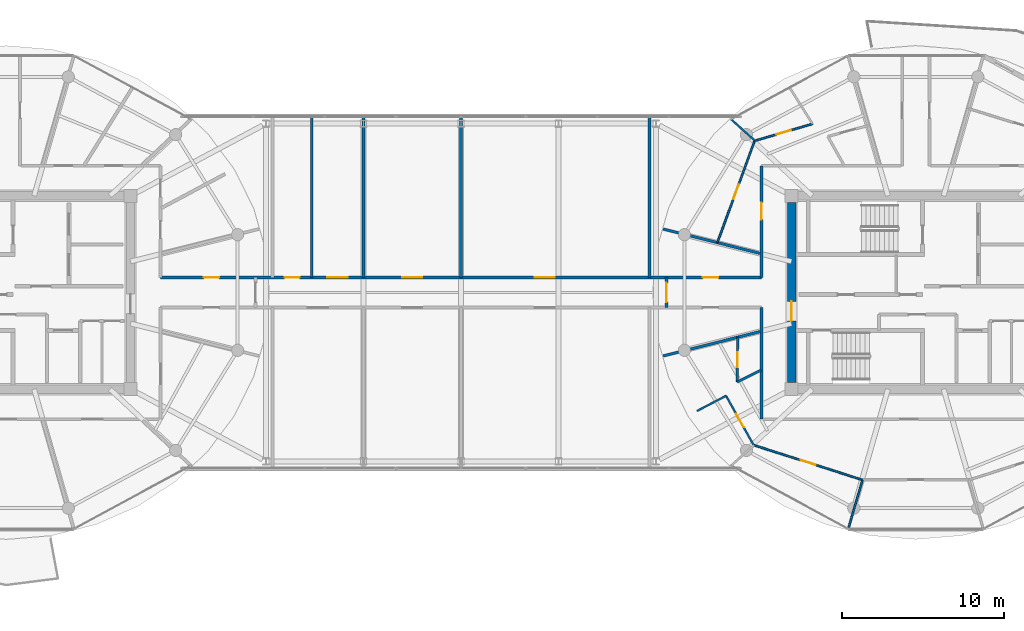
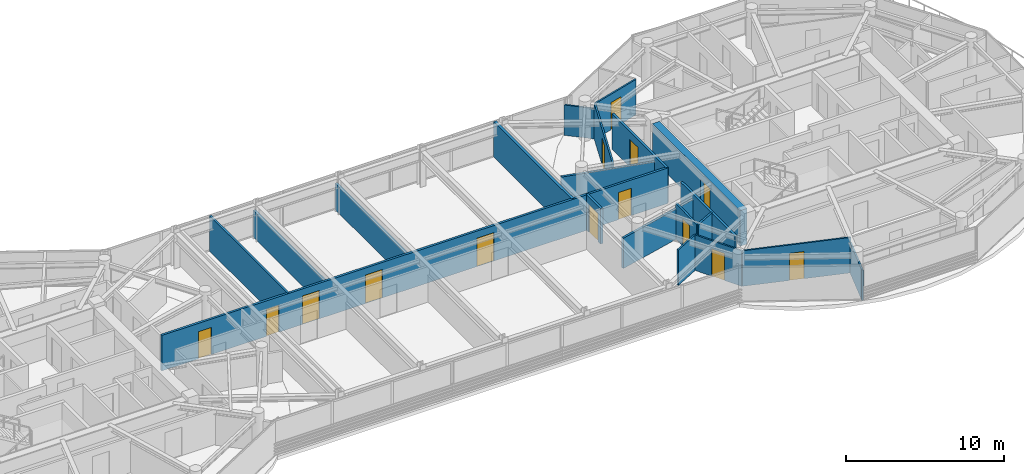
# One storey, part 16 of 23: 20 walls, 14 doors, 14 openings.
"""IFC4 building model written with IfcOpenShell, lengths in metres."""

from ifc_helpers import new_model, si_unit, direction, frame, frame_2d, origin, place, context, subcontext, project, spatial, rectangle, extrude, source, transform, mapped, material, layer, layer_set, type_object, type_shapes, element, fill, save


model = new_model("IFC4")

# Units and contexts
model_context = context("Model", 3, precision=1e-05, world=origin(), true_north=direction((0.0, 1.0)))
body_context = subcontext(model_context, "Body", "Model", "MODEL_VIEW")
ifc_project = project(units=[si_unit("LENGTHUNIT", "METRE"), si_unit("AREAUNIT", "SQUARE_METRE"), si_unit("VOLUMEUNIT", "CUBIC_METRE"), si_unit("PLANEANGLEUNIT", "RADIAN"), si_unit("MASSUNIT", "GRAM", prefix="KILO")], contexts=[model_context])

# Site, building, storey
site_placement = place(None, origin())
site = spatial("IfcSite", under=ifc_project, at=site_placement, CompositionType="ELEMENT")
building_placement = place(site_placement, origin())
building = spatial("IfcBuilding", under=site, at=building_placement, Name="Norrkilde Senior Care Towers", CompositionType="ELEMENT")
storey_placement = place(building_placement, frame((0.0, 0.0, 220.0)))
storey = spatial("IfcBuildingStorey", under=building, at=storey_placement, Name="L68", CompositionType="ELEMENT", Elevation=220.0)

# Wall, opening, door
ifc_material_1 = material(Name="Concrete C50/60", Category="concrete")
ifc_layer_1 = layer(ifc_material_1, 0.52001953125)
ifc_layer_set_1 = layer_set([ifc_layer_1], Name="Concrete C50/60")
wall_type_1 = type_object("IfcWallType", Name="Core Shear Wall Z4 520", PredefinedType="SHEAR", material=ifc_layer_set_1)
shared_shape_1 = source(origin(), body_context, "Body", "SweptSolid", [
    extrude(rectangle(XDim=11.10009765625, YDim=0.52001953125, at=frame_2d((5.550048828125, 0.0))), origin(), (0.0, 0.0, 1.0), 2.760009765625),
])
type_shapes(wall_type_1, [shared_shape_1])
wall_1_placement = place(storey_placement, frame((20.35009765625, -5.550048828125, 0.0), z_axis=(0.0, 0.0, 1.0), x_axis=(0.0, 1.0, 0.0)))
wall_1 = element("IfcWall", 1, at=wall_1_placement, inside=storey, type_object=wall_type_1, Name="L68 Core E West Shear Wall", PredefinedType="SHEAR", context=body_context, shape_type="MappedRepresentation", body=[
    mapped(shared_shape_1, transform((0.0, 0.0, 0.0), x_axis=(1.0, 0.0, 0.0), y_axis=(0.0, 1.0, 0.0), z_axis=(0.0, 0.0, 1.0), scale=1.0)),
])
opening_1_placement = place(wall_1_placement, frame((3.800048828125, 0.0, 0.0)))
opening_1 = element("IfcOpeningElement", 2, at=opening_1_placement, cuts=wall_1, Name="Opening D-04", PredefinedType="OPENING", context=body_context, shape_type="SweptSolid", body=[
    extrude(rectangle(XDim=1.199951171875, YDim=2.14990234375, at=frame_2d((0.60009765625, 1.074951171875))), frame((0.0, 0.27001953125, 0.0), z_axis=(0.0, -1.0, 0.0), x_axis=(1.0, 0.0, 0.0)), (0.0, 0.0, 1.0), 0.5400390625),
])
ifc_material_2 = material(Name="Galvanised Painted Steel", Category="steel")
door_type_1 = type_object("IfcDoorType", Name="Firefighting Lobby Fire Door 1200x2150", OperationType="NOTDEFINED", PredefinedType="DOOR", material=ifc_material_2)
shared_shape_2 = source(origin(), body_context, "Body", "SweptSolid", [
    extrude(rectangle(XDim=1.199951171875, YDim=2.14990234375, at=frame_2d((0.60009765625, 1.074951171875))), frame((0.0, 0.02490234375, 0.0), z_axis=(0.0, -1.0, 0.0), x_axis=(1.0, 0.0, 0.0)), (0.0, 0.0, 1.0), 0.050048828125),
])
type_shapes(door_type_1, [shared_shape_2])
door_1_placement = place(opening_1_placement, frame((1.199951171875, 0.0, 0.0), z_axis=(0.0, 0.0, 1.0), x_axis=(-1.0, 0.0, 0.0)))
door_1 = element("IfcDoor", 3, at=door_1_placement, inside=storey, type_object=door_type_1, Name="L68 Core E West Portal Door", OperationType="SINGLE_SWING_LEFT", OverallHeight=2.14990234375, OverallWidth=1.199951171875, PredefinedType="DOOR", context=body_context, shape_type="MappedRepresentation", body=[
    mapped(shared_shape_2, transform((0.0, 0.0, 0.0), x_axis=(1.0, 0.0, 0.0), y_axis=(0.0, 1.0, 0.0), z_axis=(0.0, 0.0, 1.0), scale=1.0)),
])
fill(opening_1, door_1)

# Wall
ifc_material_3 = material(Name="Gypsum Acoustic Board")
ifc_layer_2 = layer(ifc_material_3, 0.1650390625)
ifc_layer_set_2 = layer_set([ifc_layer_2], Name="Gypsum Acoustic Board")
wall_type_2 = type_object("IfcWallType", Name="Corridor Rated Partition 165", PredefinedType="PARTITIONING", material=ifc_layer_set_2)
shared_shape_3 = source(origin(), body_context, "Body", "SweptSolid", [
    extrude(rectangle(XDim=6.880126953125, YDim=0.1650390625, at=frame_2d((3.43994140625, 0.0))), origin(), (0.0, 0.0, 1.0), 2.7451171875),
])
wall_2_placement = place(storey_placement, frame((18.5, -7.800048828125, 0.0), z_axis=(0.0, 0.0, 1.0), x_axis=(0.0, 1.0, 0.0)))
element("IfcWall", 4, at=wall_2_placement, inside=storey, type_object=wall_type_2, Name="WL-INT-L68-E-CRW-W-0", PredefinedType="PARTITIONING", context=body_context, shape_type="MappedRepresentation", body=[
    mapped(shared_shape_3, transform((0.0, 0.0, 0.0), x_axis=(1.0, 0.0, 0.0), y_axis=(0.0, 1.0, 0.0), z_axis=(0.0, 0.0, 1.0), scale=1.0)),
])

# Wall, opening, door
wall_3_placement = place(storey_placement, frame((18.5, 0.919921875, 0.0), z_axis=(0.0, 0.0, 1.0), x_axis=(0.0, 1.0, 0.0)))
wall_3 = element("IfcWall", 5, at=wall_3_placement, inside=storey, type_object=wall_type_2, Name="WL-INT-L68-E-CRW-W-1", PredefinedType="PARTITIONING", context=body_context, shape_type="MappedRepresentation", body=[
    mapped(shared_shape_3, transform((0.0, 0.0, 0.0), x_axis=(1.0, 0.0, 0.0), y_axis=(0.0, 1.0, 0.0), z_axis=(0.0, 0.0, 1.0), scale=1.0)),
])
opening_2_placement = place(wall_3_placement, frame((3.564208984375, 0.0, 0.0)))
opening_2 = element("IfcOpeningElement", 6, at=opening_2_placement, cuts=wall_3, Name="Opening D-06", PredefinedType="OPENING", context=body_context, shape_type="SweptSolid", body=[
    extrude(rectangle(XDim=1.050048828125, YDim=2.14990234375, at=frame_2d((0.52490234375, 1.074951171875))), frame((0.0, 0.092529296875, 0.0), z_axis=(0.0, -1.0, 0.0), x_axis=(1.0, 0.0, 0.0)), (0.0, 0.0, 1.0), 0.18505859375),
])
ifc_material_4 = material(Name="Nordic Ash Timber", Category="wood")
door_type_2 = type_object("IfcDoorType", Name="Apartment Entrance Fire Door 1050x2150", OperationType="NOTDEFINED", PredefinedType="DOOR", material=ifc_material_4)
shared_shape_4 = source(origin(), body_context, "Body", "SweptSolid", [
    extrude(rectangle(XDim=1.050048828125, YDim=2.14990234375, at=frame_2d((0.52490234375, 1.074951171875))), frame((0.0, 0.02490234375, 0.0), z_axis=(0.0, -1.0, 0.0), x_axis=(1.0, 0.0, 0.0)), (0.0, 0.0, 1.0), 0.050048828125),
])
type_shapes(door_type_2, [shared_shape_4])
door_2_placement = place(opening_2_placement, frame((1.050048828125, 0.0, 0.0), z_axis=(0.0, 0.0, 1.0), x_axis=(-1.0, 0.0, 0.0)))
door_2 = element("IfcDoor", 7, at=door_2_placement, inside=storey, type_object=door_type_2, Name="Apartment 68B Entrance Door", OperationType="SINGLE_SWING_RIGHT", OverallHeight=2.14990234375, OverallWidth=1.050048828125, PredefinedType="DOOR", context=body_context, shape_type="MappedRepresentation", body=[
    mapped(shared_shape_4, transform((0.0, 0.0, 0.0), x_axis=(1.0, 0.0, 0.0), y_axis=(0.0, 1.0, 0.0), z_axis=(0.0, 0.0, 1.0), scale=1.0)),
])
fill(opening_2, door_2)

# Walls
shared_shape_5 = source(origin(), body_context, "Body", "SweptSolid", [
    extrude(rectangle(XDim=6.1572265625, YDim=0.1650390625, at=frame_2d((3.07861328125, 0.0))), origin(), (0.0, 0.0, 1.0), 2.344970703125),
])
for number, where, z_axis, x_axis, name in (
    (8, (18.419921875, 2.407470703125, 0.0), (0.0, 0.0, 1.0), (-0.969840867184, 0.243738984038, 0.0), "WL-INT-L68-E-DEM-05-0"),
    (9, (18.419921875, -2.407470703125, 0.0), (0.0, 0.0, 1.0), (-0.969840867184, -0.243738984038, 0.0), "WL-INT-L68-E-DEM-06-0"),
):
    element("IfcWall", number, at=place(storey_placement, frame(where, z_axis=z_axis, x_axis=x_axis)), inside=storey, type_object=wall_type_2, Name=name, PredefinedType="PARTITIONING", context=body_context, shape_type="MappedRepresentation", body=[
        mapped(shared_shape_5, transform((0.0, 0.0, 0.0), x_axis=(1.0, 0.0, 0.0), y_axis=(0.0, 1.0, 0.0), z_axis=(0.0, 0.0, 1.0), scale=1.0)),
    ])
ifc_layer_3 = layer(ifc_material_3, 0.139892578125)
ifc_layer_set_3 = layer_set([ifc_layer_3], Name="Gypsum Acoustic Board")
wall_type_3 = type_object("IfcWallType", Name="En-suite Wet Room Wall 140", PredefinedType="PARTITIONING", material=ifc_layer_set_3)
shared_shape_6 = source(origin(), body_context, "Body", "SweptSolid", [
    extrude(rectangle(XDim=1.638427734375, YDim=0.139892578125, at=frame_2d((0.8193359375, 0.0))), origin(), (0.0, 0.0, 1.0), 2.7451171875),
])
wall_4_placement = place(storey_placement, frame((18.469970703125, -4.7783203125, 0.0), z_axis=(0.0, 0.0, 1.0), x_axis=(-0.893919977945, -0.448226586707, 0.0)))
element("IfcWall", 10, at=wall_4_placement, inside=storey, type_object=wall_type_3, Name="WL-INT-L68-E-UBTS-06", PredefinedType="PARTITIONING", context=body_context, shape_type="MappedRepresentation", body=[
    mapped(shared_shape_6, transform((0.0, 0.0, 0.0), x_axis=(1.0, 0.0, 0.0), y_axis=(0.0, 1.0, 0.0), z_axis=(0.0, 0.0, 1.0), scale=1.0)),
])

# Wall, opening, door
shared_shape_7 = source(origin(), body_context, "Body", "SweptSolid", [
    extrude(rectangle(XDim=2.7587890625, YDim=0.139892578125, at=frame_2d((1.37939453125, 0.0))), origin(), (0.0, 0.0, 1.0), 2.7451171875),
])
wall_5_placement = place(storey_placement, frame((17.00537109375, -5.5126953125, 0.0), z_axis=(0.0, 0.0, 1.0), x_axis=(0.01194710728, 0.999928630767, 0.0)))
wall_5 = element("IfcWall", 11, at=wall_5_placement, inside=storey, type_object=wall_type_3, Name="WL-INT-L68-E-UBTF-06", PredefinedType="PARTITIONING", context=body_context, shape_type="MappedRepresentation", body=[
    mapped(shared_shape_7, transform((0.0, 0.0, 0.0), x_axis=(1.0, 0.0, 0.0), y_axis=(0.0, 1.0, 0.0), z_axis=(0.0, 0.0, 1.0), scale=1.0)),
])
opening_3_placement = place(wall_5_placement, frame((0.91943359375, 0.0, 0.0)))
opening_3 = element("IfcOpeningElement", 12, at=opening_3_placement, cuts=wall_5, Name="Opening D-08", PredefinedType="OPENING", context=body_context, shape_type="SweptSolid", body=[
    extrude(rectangle(XDim=0.919921875, YDim=2.10009765625, at=frame_2d((0.4599609375, 1.050048828125))), frame((0.0, 0.079833984375, 0.0), z_axis=(0.0, -1.0, 0.0), x_axis=(1.0, 0.0, 0.0)), (0.0, 0.0, 1.0), 0.159912109375),
])
door_type_3 = type_object("IfcDoorType", Name="Accessible Wet Room Door 920x2100", OperationType="NOTDEFINED", PredefinedType="DOOR", material=ifc_material_4)
shared_shape_8 = source(origin(), body_context, "Body", "SweptSolid", [
    extrude(rectangle(XDim=0.919921875, YDim=2.10009765625, at=frame_2d((0.4599609375, 1.050048828125))), frame((0.0, 0.02490234375, 0.0), z_axis=(0.0, -1.0, 0.0), x_axis=(1.0, 0.0, 0.0)), (0.0, 0.0, 1.0), 0.050048828125),
])
type_shapes(door_type_3, [shared_shape_8])
door_3_placement = place(opening_3_placement, origin())
door_3 = element("IfcDoor", 13, at=door_3_placement, inside=storey, type_object=door_type_3, Name="Apartment 68C Bathroom Door", OperationType="SINGLE_SWING_RIGHT", OverallHeight=2.10009765625, OverallWidth=0.919921875, PredefinedType="DOOR", context=body_context, shape_type="MappedRepresentation", body=[
    mapped(shared_shape_8, transform((0.0, 0.0, 0.0), x_axis=(1.0, 0.0, 0.0), y_axis=(0.0, 1.0, 0.0), z_axis=(0.0, 0.0, 1.0), scale=1.0)),
])
fill(opening_3, door_3)

# Walls
ifc_layer_4 = layer(ifc_material_3, 0.18994140625)
ifc_layer_set_4 = layer_set([ifc_layer_4], Name="Gypsum Acoustic Board")
wall_type_4 = type_object("IfcWallType", Name="Unit Demising Acoustic Wall 190", PredefinedType="PARTITIONING", material=ifc_layer_set_4)
shared_shape_9 = source(origin(), body_context, "Body", "SweptSolid", [
    extrude(rectangle(XDim=9.880126953125, YDim=0.18994140625, at=frame_2d((4.93994140625, 0.0))), origin(), (0.0, 0.0, 1.0), 2.044921875),
])
for number, where, z_axis, x_axis, name in (
    (14, (-6.0, 0.919921875, 0.0), (0.0, 0.0, 1.0), (0.0, 1.0, 0.0), "WL-INT-L68-BR-VN1"),
    (15, (0.0, 0.919921875, 0.0), (0.0, 0.0, 1.0), (0.0, 1.0, 0.0), "WL-INT-L68-BR-VN2"),
):
    element("IfcWall", number, at=place(storey_placement, frame(where, z_axis=z_axis, x_axis=x_axis)), inside=storey, type_object=wall_type_4, Name=name, PredefinedType="PARTITIONING", context=body_context, shape_type="MappedRepresentation", body=[
        mapped(shared_shape_9, transform((0.0, 0.0, 0.0), x_axis=(1.0, 0.0, 0.0), y_axis=(0.0, 1.0, 0.0), z_axis=(0.0, 0.0, 1.0), scale=1.0)),
    ])

# Wall, opening, door
shared_shape_10 = source(origin(), body_context, "Body", "SweptSolid", [
    extrude(rectangle(XDim=1.83984375, YDim=0.1650390625, at=frame_2d((0.919921875, 0.0))), origin(), (0.0, 0.0, 1.0), 2.7451171875),
])
wall_6_placement = place(storey_placement, frame((12.64990234375, -0.919921875, 0.0), z_axis=(0.0, 0.0, 1.0), x_axis=(0.0, 1.0, 0.0)))
wall_6 = element("IfcWall", 16, at=wall_6_placement, inside=storey, type_object=wall_type_2, Name="WL-INT-L68-BR-GE", PredefinedType="PARTITIONING", context=body_context, shape_type="MappedRepresentation", body=[
    mapped(shared_shape_10, transform((0.0, 0.0, 0.0), x_axis=(1.0, 0.0, 0.0), y_axis=(0.0, 1.0, 0.0), z_axis=(0.0, 0.0, 1.0), scale=1.0)),
])
opening_4_placement = place(wall_6_placement, frame((0.320068359375, 0.0, 0.0)))
opening_4 = element("IfcOpeningElement", 17, at=opening_4_placement, cuts=wall_6, Name="Opening D-04", PredefinedType="OPENING", context=body_context, shape_type="SweptSolid", body=[
    extrude(rectangle(XDim=1.199951171875, YDim=2.14990234375, at=frame_2d((0.60009765625, 1.074951171875))), frame((0.0, 0.092529296875, 0.0), z_axis=(0.0, -1.0, 0.0), x_axis=(1.0, 0.0, 0.0)), (0.0, 0.0, 1.0), 0.18505859375),
])
door_4_placement = place(opening_4_placement, origin())
door_4 = element("IfcDoor", 18, at=door_4_placement, inside=storey, type_object=door_type_1, Name="L68 Sky-Gate Bridge GE Fire Door", OperationType="SINGLE_SWING_RIGHT", OverallHeight=2.14990234375, OverallWidth=1.199951171875, PredefinedType="DOOR", context=body_context, shape_type="MappedRepresentation", body=[
    mapped(shared_shape_2, transform((0.0, 0.0, 0.0), x_axis=(1.0, 0.0, 0.0), y_axis=(0.0, 1.0, 0.0), z_axis=(0.0, 0.0, 1.0), scale=1.0)),
])
fill(opening_4, door_4)

# Wall, openings, doors
shared_shape_11 = source(origin(), body_context, "Body", "SweptSolid", [
    extrude(rectangle(XDim=37.0, YDim=0.1650390625, at=frame_2d((18.5, 0.0))), origin(), (0.0, 0.0, 1.0), 2.7451171875),
])
type_shapes(wall_type_2, [shared_shape_3, shared_shape_5, shared_shape_10, shared_shape_11])
wall_7_placement = place(storey_placement, frame((-18.5, 0.919921875, 0.0), z_axis=(0.0, 0.0, 1.0), x_axis=(1.0, 0.0, 0.0)))
wall_7 = element("IfcWall", 19, at=wall_7_placement, inside=storey, type_object=wall_type_2, Name="WL-INT-L68-BR-CN", PredefinedType="PARTITIONING", context=body_context, shape_type="MappedRepresentation", body=[
    mapped(shared_shape_11, transform((0.0, 0.0, 0.0), x_axis=(1.0, 0.0, 0.0), y_axis=(0.0, 1.0, 0.0), z_axis=(0.0, 0.0, 1.0), scale=1.0)),
])
opening_5_placement = place(wall_7_placement, frame((2.66162109375, 0.0, 0.0)))
opening_5 = element("IfcOpeningElement", 20, at=opening_5_placement, cuts=wall_7, Name="Opening D-07", PredefinedType="OPENING", context=body_context, shape_type="SweptSolid", body=[
    extrude(rectangle(XDim=0.949951171875, YDim=2.10009765625, at=frame_2d((0.47509765625, 1.050048828125))), frame((0.0, 0.092529296875, 0.0), z_axis=(0.0, -1.0, 0.0), x_axis=(1.0, 0.0, 0.0)), (0.0, 0.0, 1.0), 0.18505859375),
])
opening_6_placement = place(wall_7_placement, frame((33.38818359375, 0.0, 0.0)))
opening_6 = element("IfcOpeningElement", 21, at=opening_6_placement, cuts=wall_7, Name="Opening D-07", PredefinedType="OPENING", context=body_context, shape_type="SweptSolid", body=[
    extrude(rectangle(XDim=0.949951171875, YDim=2.10009765625, at=frame_2d((0.47509765625, 1.050048828125))), frame((0.0, 0.092529296875, 0.0), z_axis=(0.0, -1.0, 0.0), x_axis=(1.0, 0.0, 0.0)), (0.0, 0.0, 1.0), 0.18505859375),
])
opening_7_placement = place(wall_7_placement, frame((7.639892578125, 0.0, 0.0)))
opening_7 = element("IfcOpeningElement", 22, at=opening_7_placement, cuts=wall_7, Name="Opening D-08", PredefinedType="OPENING", context=body_context, shape_type="SweptSolid", body=[
    extrude(rectangle(XDim=0.919921875, YDim=2.10009765625, at=frame_2d((0.4599609375, 1.050048828125))), frame((0.0, 0.092529296875, 0.0), z_axis=(0.0, -1.0, 0.0), x_axis=(1.0, 0.0, 0.0)), (0.0, 0.0, 1.0), 0.18505859375),
])
opening_8_placement = place(wall_7_placement, frame((10.27490234375, 0.0, 0.0)))
opening_8 = element("IfcOpeningElement", 23, at=opening_8_placement, cuts=wall_7, Name="Opening D-05", PredefinedType="OPENING", context=body_context, shape_type="SweptSolid", body=[
    extrude(rectangle(XDim=1.25, YDim=2.199951171875, at=frame_2d((0.625, 1.10009765625))), frame((0.0, 0.092529296875, 0.0), z_axis=(0.0, -1.0, 0.0), x_axis=(1.0, 0.0, 0.0)), (0.0, 0.0, 1.0), 0.18505859375),
])
opening_9_placement = place(wall_7_placement, frame((14.875, 0.0, 0.0)))
opening_9 = element("IfcOpeningElement", 24, at=opening_9_placement, cuts=wall_7, Name="Opening D-05", PredefinedType="OPENING", context=body_context, shape_type="SweptSolid", body=[
    extrude(rectangle(XDim=1.25, YDim=2.199951171875, at=frame_2d((0.625, 1.10009765625))), frame((0.0, 0.092529296875, 0.0), z_axis=(0.0, -1.0, 0.0), x_axis=(1.0, 0.0, 0.0)), (0.0, 0.0, 1.0), 0.18505859375),
])
opening_10_placement = place(wall_7_placement, frame((23.030029296875, 0.0, 0.0)))
opening_10 = element("IfcOpeningElement", 25, at=opening_10_placement, cuts=wall_7, Name="Opening D-05", PredefinedType="OPENING", context=body_context, shape_type="SweptSolid", body=[
    extrude(rectangle(XDim=1.25, YDim=2.199951171875, at=frame_2d((0.625, 1.10009765625))), frame((0.0, 0.092529296875, 0.0), z_axis=(0.0, -1.0, 0.0), x_axis=(1.0, 0.0, 0.0)), (0.0, 0.0, 1.0), 0.18505859375),
])
door_type_4 = type_object("IfcDoorType", Name="Care Bedroom Bariatric Door 1250x2200", OperationType="NOTDEFINED", PredefinedType="DOOR", material=ifc_material_4)
shared_shape_12 = source(origin(), body_context, "Body", "SweptSolid", [
    extrude(rectangle(XDim=1.25, YDim=2.199951171875, at=frame_2d((0.625, 1.10009765625))), frame((0.0, 0.02490234375, 0.0), z_axis=(0.0, -1.0, 0.0), x_axis=(1.0, 0.0, 0.0)), (0.0, 0.0, 1.0), 0.050048828125),
])
type_shapes(door_type_4, [shared_shape_12])
door_5_placement = place(opening_8_placement, frame((1.25, 0.0, 0.0), z_axis=(0.0, 0.0, 1.0), x_axis=(-1.0, 0.0, 0.0)))
door_5 = element("IfcDoor", 26, at=door_5_placement, inside=storey, type_object=door_type_4, Name="L68 Bridge North Clinic 1 Door", OperationType="SINGLE_SWING_RIGHT", OverallHeight=2.199951171875, OverallWidth=1.25, PredefinedType="DOOR", context=body_context, shape_type="MappedRepresentation", body=[
    mapped(shared_shape_12, transform((0.0, 0.0, 0.0), x_axis=(1.0, 0.0, 0.0), y_axis=(0.0, 1.0, 0.0), z_axis=(0.0, 0.0, 1.0), scale=1.0)),
])
fill(opening_8, door_5)
door_6_placement = place(opening_9_placement, frame((1.25, 0.0, 0.0), z_axis=(0.0, 0.0, 1.0), x_axis=(-1.0, 0.0, 0.0)))
door_6 = element("IfcDoor", 27, at=door_6_placement, inside=storey, type_object=door_type_4, Name="L68 Bridge North Room 2 Door", OperationType="SINGLE_SWING_LEFT", OverallHeight=2.199951171875, OverallWidth=1.25, PredefinedType="DOOR", context=body_context, shape_type="MappedRepresentation", body=[
    mapped(shared_shape_12, transform((0.0, 0.0, 0.0), x_axis=(1.0, 0.0, 0.0), y_axis=(0.0, 1.0, 0.0), z_axis=(0.0, 0.0, 1.0), scale=1.0)),
])
fill(opening_9, door_6)
door_7_placement = place(opening_10_placement, frame((1.25, 0.0, 0.0), z_axis=(0.0, 0.0, 1.0), x_axis=(-1.0, 0.0, 0.0)))
door_7 = element("IfcDoor", 28, at=door_7_placement, inside=storey, type_object=door_type_4, Name="L68 Bridge North Room 3 Door", OperationType="SINGLE_SWING_RIGHT", OverallHeight=2.199951171875, OverallWidth=1.25, PredefinedType="DOOR", context=body_context, shape_type="MappedRepresentation", body=[
    mapped(shared_shape_12, transform((0.0, 0.0, 0.0), x_axis=(1.0, 0.0, 0.0), y_axis=(0.0, 1.0, 0.0), z_axis=(0.0, 0.0, 1.0), scale=1.0)),
])
fill(opening_10, door_7)
door_8_placement = place(opening_7_placement, frame((0.919921875, 0.0, 0.0), z_axis=(0.0, 0.0, 1.0), x_axis=(-1.0, 0.0, 0.0)))
door_8 = element("IfcDoor", 29, at=door_8_placement, inside=storey, type_object=door_type_3, Name="L68 Bridge Accessible WC Door", OperationType="SINGLE_SWING_LEFT", OverallHeight=2.10009765625, OverallWidth=0.919921875, PredefinedType="DOOR", context=body_context, shape_type="MappedRepresentation", body=[
    mapped(shared_shape_8, transform((0.0, 0.0, 0.0), x_axis=(1.0, 0.0, 0.0), y_axis=(0.0, 1.0, 0.0), z_axis=(0.0, 0.0, 1.0), scale=1.0)),
])
fill(opening_7, door_8)
door_type_5 = type_object("IfcDoorType", Name="Internal Suite Bedroom Door 950x2100", OperationType="NOTDEFINED", PredefinedType="DOOR", material=ifc_material_4)
shared_shape_13 = source(origin(), body_context, "Body", "SweptSolid", [
    extrude(rectangle(XDim=0.949951171875, YDim=2.10009765625, at=frame_2d((0.47509765625, 1.050048828125))), frame((0.0, 0.02490234375, 0.0), z_axis=(0.0, -1.0, 0.0), x_axis=(1.0, 0.0, 0.0)), (0.0, 0.0, 1.0), 0.050048828125),
])
type_shapes(door_type_5, [shared_shape_13])
door_9_placement = place(opening_5_placement, frame((0.949951171875, 0.0, 0.0), z_axis=(0.0, 0.0, 1.0), x_axis=(-1.0, 0.0, 0.0)))
door_9 = element("IfcDoor", 30, at=door_9_placement, inside=storey, type_object=door_type_5, Name="L68 Sun Reading Lounge 6 Door", OperationType="SINGLE_SWING_LEFT", OverallHeight=2.10009765625, OverallWidth=0.949951171875, PredefinedType="DOOR", context=body_context, shape_type="MappedRepresentation", body=[
    mapped(shared_shape_13, transform((0.0, 0.0, 0.0), x_axis=(1.0, 0.0, 0.0), y_axis=(0.0, 1.0, 0.0), z_axis=(0.0, 0.0, 1.0), scale=1.0)),
])
fill(opening_5, door_9)
door_10_placement = place(opening_6_placement, frame((0.949951171875, 0.0, 0.0), z_axis=(0.0, 0.0, 1.0), x_axis=(-1.0, 0.0, 0.0)))
door_10 = element("IfcDoor", 31, at=door_10_placement, inside=storey, type_object=door_type_5, Name="L68 Sun Reading Lounge 2 Door", OperationType="SINGLE_SWING_LEFT", OverallHeight=2.10009765625, OverallWidth=0.949951171875, PredefinedType="DOOR", context=body_context, shape_type="MappedRepresentation", body=[
    mapped(shared_shape_13, transform((0.0, 0.0, 0.0), x_axis=(1.0, 0.0, 0.0), y_axis=(0.0, 1.0, 0.0), z_axis=(0.0, 0.0, 1.0), scale=1.0)),
])
fill(opening_6, door_10)

# Walls
shared_shape_14 = source(origin(), body_context, "Body", "SweptSolid", [
    extrude(rectangle(XDim=9.880126953125, YDim=0.18994140625, at=frame_2d((4.93994140625, 0.0))), origin(), (0.0, 0.0, 1.0), 2.7451171875),
])
type_shapes(wall_type_4, [shared_shape_9, shared_shape_14])
wall_8_placement = place(storey_placement, frame((11.60009765625, 0.919921875, 0.0), z_axis=(0.0, 0.0, 1.0), x_axis=(0.0, 1.0, 0.0)))
element("IfcWall", 32, at=wall_8_placement, inside=storey, type_object=wall_type_4, Name="WL-INT-L68-BR-EN+12", PredefinedType="PARTITIONING", context=body_context, shape_type="MappedRepresentation", body=[
    mapped(shared_shape_14, transform((0.0, 0.0, 0.0), x_axis=(1.0, 0.0, 0.0), y_axis=(0.0, 1.0, 0.0), z_axis=(0.0, 0.0, 1.0), scale=1.0)),
])
shared_shape_15 = source(origin(), body_context, "Body", "SweptSolid", [
    extrude(rectangle(XDim=9.880126953125, YDim=0.139892578125, at=frame_2d((4.93994140625, 0.0))), origin(), (0.0, 0.0, 1.0), 2.7451171875),
])
type_shapes(wall_type_3, [shared_shape_6, shared_shape_7, shared_shape_15])
wall_9_placement = place(storey_placement, frame((-9.199951171875, 0.919921875, 0.0), z_axis=(0.0, 0.0, 1.0), x_axis=(0.0, 1.0, 0.0)))
element("IfcWall", 33, at=wall_9_placement, inside=storey, type_object=wall_type_3, Name="WL-INT-L68-BR-NWCV", PredefinedType="PARTITIONING", context=body_context, shape_type="MappedRepresentation", body=[
    mapped(shared_shape_15, transform((0.0, 0.0, 0.0), x_axis=(1.0, 0.0, 0.0), y_axis=(0.0, 1.0, 0.0), z_axis=(0.0, 0.0, 1.0), scale=1.0)),
])

# Wall, opening, door
ifc_layer_5 = layer(ifc_material_3, 0.114990234375)
ifc_layer_set_5 = layer_set([ifc_layer_5], Name="Gypsum Acoustic Board")
wall_type_5 = type_object("IfcWallType", Name="Internal Room Partition 115", PredefinedType="PARTITIONING", material=ifc_layer_set_5)
shared_shape_16 = source(origin(), body_context, "Body", "SweptSolid", [
    extrude(rectangle(XDim=6.68994140625, YDim=0.114990234375, at=frame_2d((3.344970703125, 0.0))), origin(), (0.0, 0.0, 1.0), 2.7451171875),
])
wall_10_placement = place(storey_placement, frame((18.082763671875, 9.351806640625, 0.0), z_axis=(0.0, 0.0, 1.0), x_axis=(-0.343693784919, -0.939081776102, 0.0)))
wall_10 = element("IfcWall", 34, at=wall_10_placement, inside=storey, type_object=wall_type_5, Name="WL-INT-L68-E-UBC-03-1", PredefinedType="PARTITIONING", context=body_context, shape_type="MappedRepresentation", body=[
    mapped(shared_shape_16, transform((0.0, 0.0, 0.0), x_axis=(1.0, 0.0, 0.0), y_axis=(0.0, 1.0, 0.0), z_axis=(0.0, 0.0, 1.0), scale=1.0)),
])
opening_11_placement = place(wall_10_placement, frame((2.8701171875, 0.0, 0.0)))
opening_11 = element("IfcOpeningElement", 35, at=opening_11_placement, cuts=wall_10, Name="Opening D-07", PredefinedType="OPENING", context=body_context, shape_type="SweptSolid", body=[
    extrude(rectangle(XDim=0.949951171875, YDim=2.10009765625, at=frame_2d((0.47509765625, 1.050048828125))), frame((0.0, 0.0673828125, 0.0), z_axis=(0.0, -1.0, 0.0), x_axis=(1.0, 0.0, 0.0)), (0.0, 0.0, 1.0), 0.135009765625),
])
door_11_placement = place(opening_11_placement, origin())
door_11 = element("IfcDoor", 36, at=door_11_placement, inside=storey, type_object=door_type_5, Name="Apartment 68B Bedroom 1 Door", OperationType="SINGLE_SWING_LEFT", OverallHeight=2.10009765625, OverallWidth=0.949951171875, PredefinedType="DOOR", context=body_context, shape_type="MappedRepresentation", body=[
    mapped(shared_shape_13, transform((0.0, 0.0, 0.0), x_axis=(1.0, 0.0, 0.0), y_axis=(0.0, 1.0, 0.0), z_axis=(0.0, 0.0, 1.0), scale=1.0)),
])
fill(opening_11, door_11)

# Wall
shared_shape_17 = source(origin(), body_context, "Body", "SweptSolid", [
    extrude(rectangle(XDim=1.977294921875, YDim=0.114990234375, at=frame_2d((0.98876953125, 0.0))), origin(), (0.0, 0.0, 1.0), 2.344970703125),
])
wall_11_placement = place(storey_placement, frame((18.082763671875, 9.351806640625, 0.0), z_axis=(0.0, 0.0, 1.0), x_axis=(-0.742064998629, 0.670327933037, 0.0)))
element("IfcWall", 37, at=wall_11_placement, inside=storey, type_object=wall_type_5, Name="WL-INT-L68-E-UBR-03-1", PredefinedType="PARTITIONING", context=body_context, shape_type="MappedRepresentation", body=[
    mapped(shared_shape_17, transform((0.0, 0.0, 0.0), x_axis=(1.0, 0.0, 0.0), y_axis=(0.0, 1.0, 0.0), z_axis=(0.0, 0.0, 1.0), scale=1.0)),
])

# Wall, opening, door
shared_shape_18 = source(origin(), body_context, "Body", "SweptSolid", [
    extrude(rectangle(XDim=3.70166015625, YDim=0.114990234375, at=frame_2d((1.850830078125, 0.0))), origin(), (0.0, 0.0, 1.0), 2.7451171875),
])
wall_12_placement = place(storey_placement, frame((21.64453125, 10.380126953125, 0.0), z_axis=(0.0, 0.0, 1.0), x_axis=(-0.960044309887, -0.279848035645, 0.0)))
wall_12 = element("IfcWall", 38, at=wall_12_placement, inside=storey, type_object=wall_type_5, Name="WL-INT-L68-E-UKTF-03", PredefinedType="PARTITIONING", context=body_context, shape_type="MappedRepresentation", body=[
    mapped(shared_shape_18, transform((0.0, 0.0, 0.0), x_axis=(1.0, 0.0, 0.0), y_axis=(0.0, 1.0, 0.0), z_axis=(0.0, 0.0, 1.0), scale=1.0)),
])
opening_12_placement = place(wall_12_placement, frame((1.3759765625, 0.0, 0.0)))
opening_12 = element("IfcOpeningElement", 39, at=opening_12_placement, cuts=wall_12, Name="Opening D-07", PredefinedType="OPENING", context=body_context, shape_type="SweptSolid", body=[
    extrude(rectangle(XDim=0.949951171875, YDim=2.10009765625, at=frame_2d((0.47509765625, 1.050048828125))), frame((0.0, 0.0673828125, 0.0), z_axis=(0.0, -1.0, 0.0), x_axis=(1.0, 0.0, 0.0)), (0.0, 0.0, 1.0), 0.135009765625),
])
door_12_placement = place(opening_12_placement, frame((0.949951171875, 0.0, 0.0), z_axis=(0.0, 0.0, 1.0), x_axis=(-1.0, 0.0, 0.0)))
door_12 = element("IfcDoor", 40, at=door_12_placement, inside=storey, type_object=door_type_5, Name="Apartment 68B Kitchen Door", OperationType="SINGLE_SWING_RIGHT", OverallHeight=2.10009765625, OverallWidth=0.949951171875, PredefinedType="DOOR", context=body_context, shape_type="MappedRepresentation", body=[
    mapped(shared_shape_13, transform((0.0, 0.0, 0.0), x_axis=(1.0, 0.0, 0.0), y_axis=(0.0, 1.0, 0.0), z_axis=(0.0, 0.0, 1.0), scale=1.0)),
])
fill(opening_12, door_12)

shared_shape_19 = source(origin(), body_context, "Body", "SweptSolid", [
    extrude(rectangle(XDim=7.024169921875, YDim=0.114990234375, at=frame_2d((3.51220703125, 0.0))), origin(), (0.0, 0.0, 1.0), 2.7451171875),
])
wall_13_placement = place(storey_placement, frame((18.0302734375, -9.4013671875, 0.0), z_axis=(0.0, 0.0, 1.0), x_axis=(0.952454006655, -0.304682400552, 0.0)))
wall_13 = element("IfcWall", 41, at=wall_13_placement, inside=storey, type_object=wall_type_5, Name="WL-INT-L68-E-UBC-06-1", PredefinedType="PARTITIONING", context=body_context, shape_type="MappedRepresentation", body=[
    mapped(shared_shape_19, transform((0.0, 0.0, 0.0), x_axis=(1.0, 0.0, 0.0), y_axis=(0.0, 1.0, 0.0), z_axis=(0.0, 0.0, 1.0), scale=1.0)),
])
opening_13_placement = place(wall_13_placement, frame((3.037109375, 0.0, 0.0)))
opening_13 = element("IfcOpeningElement", 42, at=opening_13_placement, cuts=wall_13, Name="Opening D-07", PredefinedType="OPENING", context=body_context, shape_type="SweptSolid", body=[
    extrude(rectangle(XDim=0.949951171875, YDim=2.10009765625, at=frame_2d((0.47509765625, 1.050048828125))), frame((0.0, 0.0673828125, 0.0), z_axis=(0.0, -1.0, 0.0), x_axis=(1.0, 0.0, 0.0)), (0.0, 0.0, 1.0), 0.135009765625),
])
door_13_placement = place(opening_13_placement, origin())
door_13 = element("IfcDoor", 43, at=door_13_placement, inside=storey, type_object=door_type_5, Name="Apartment 68C Bedroom 1 Door", OperationType="SINGLE_SWING_RIGHT", OverallHeight=2.10009765625, OverallWidth=0.949951171875, PredefinedType="DOOR", context=body_context, shape_type="MappedRepresentation", body=[
    mapped(shared_shape_13, transform((0.0, 0.0, 0.0), x_axis=(1.0, 0.0, 0.0), y_axis=(0.0, 1.0, 0.0), z_axis=(0.0, 0.0, 1.0), scale=1.0)),
])
fill(opening_13, door_13)

# Walls
shared_shape_20 = source(origin(), body_context, "Body", "SweptSolid", [
    extrude(rectangle(XDim=3.17333984375, YDim=0.114990234375, at=frame_2d((1.586669921875, 0.0))), origin(), (0.0, 0.0, 1.0), 2.344970703125),
])
wall_14_placement = place(storey_placement, frame((24.72119140625, -11.538818359375, 0.0), z_axis=(0.0, 0.0, 1.0), x_axis=(-0.279878875918, -0.960035319566, 0.0)))
element("IfcWall", 44, at=wall_14_placement, inside=storey, type_object=wall_type_5, Name="WL-INT-L68-E-UBR-06-2", PredefinedType="PARTITIONING", context=body_context, shape_type="MappedRepresentation", body=[
    mapped(shared_shape_20, transform((0.0, 0.0, 0.0), x_axis=(1.0, 0.0, 0.0), y_axis=(0.0, 1.0, 0.0), z_axis=(0.0, 0.0, 1.0), scale=1.0)),
])
shared_shape_21 = source(origin(), body_context, "Body", "SweptSolid", [
    extrude(rectangle(XDim=2.014892578125, YDim=0.114990234375, at=frame_2d((1.00732421875, 0.0))), origin(), (0.0, 0.0, 1.0), 2.7451171875),
])
wall_15_placement = place(storey_placement, frame((16.318115234375, -6.360107421875, 0.0), z_axis=(0.0, 0.0, 1.0), x_axis=(-0.886437892009, -0.462847559797, 0.0)))
element("IfcWall", 45, at=wall_15_placement, inside=storey, type_object=wall_type_5, Name="WL-INT-L68-E-UKTS-06", PredefinedType="PARTITIONING", context=body_context, shape_type="MappedRepresentation", body=[
    mapped(shared_shape_21, transform((0.0, 0.0, 0.0), x_axis=(1.0, 0.0, 0.0), y_axis=(0.0, 1.0, 0.0), z_axis=(0.0, 0.0, 1.0), scale=1.0)),
])

# Wall, opening, door
shared_shape_22 = source(origin(), body_context, "Body", "SweptSolid", [
    extrude(rectangle(XDim=3.49267578125, YDim=0.114990234375, at=frame_2d((1.746337890625, 0.0))), origin(), (0.0, 0.0, 1.0), 2.7451171875),
])
type_shapes(wall_type_5, [shared_shape_16, shared_shape_17, shared_shape_18, shared_shape_19, shared_shape_20, shared_shape_21, shared_shape_22])
wall_16_placement = place(storey_placement, frame((16.318115234375, -6.360107421875, 0.0), z_axis=(0.0, 0.0, 1.0), x_axis=(0.487896553961, -0.872901456427, 0.0)))
wall_16 = element("IfcWall", 46, at=wall_16_placement, inside=storey, type_object=wall_type_5, Name="WL-INT-L68-E-UKTF-06", PredefinedType="PARTITIONING", context=body_context, shape_type="MappedRepresentation", body=[
    mapped(shared_shape_22, transform((0.0, 0.0, 0.0), x_axis=(1.0, 0.0, 0.0), y_axis=(0.0, 1.0, 0.0), z_axis=(0.0, 0.0, 1.0), scale=1.0)),
])
opening_14_placement = place(wall_16_placement, frame((1.271484375, 0.0, 0.0)))
opening_14 = element("IfcOpeningElement", 47, at=opening_14_placement, cuts=wall_16, Name="Opening D-07", PredefinedType="OPENING", context=body_context, shape_type="SweptSolid", body=[
    extrude(rectangle(XDim=0.949951171875, YDim=2.10009765625, at=frame_2d((0.47509765625, 1.050048828125))), frame((0.0, 0.0673828125, 0.0), z_axis=(0.0, -1.0, 0.0), x_axis=(1.0, 0.0, 0.0)), (0.0, 0.0, 1.0), 0.135009765625),
])
door_14_placement = place(opening_14_placement, frame((0.949951171875, 0.0, 0.0), z_axis=(0.0, 0.0, 1.0), x_axis=(-1.0, 0.0, 0.0)))
door_14 = element("IfcDoor", 48, at=door_14_placement, inside=storey, type_object=door_type_5, Name="Apartment 68C Kitchen Door", OperationType="SINGLE_SWING_LEFT", OverallHeight=2.10009765625, OverallWidth=0.949951171875, PredefinedType="DOOR", context=body_context, shape_type="MappedRepresentation", body=[
    mapped(shared_shape_13, transform((0.0, 0.0, 0.0), x_axis=(1.0, 0.0, 0.0), y_axis=(0.0, 1.0, 0.0), z_axis=(0.0, 0.0, 1.0), scale=1.0)),
])
fill(opening_14, door_14)

save(model, "model.ifc")
